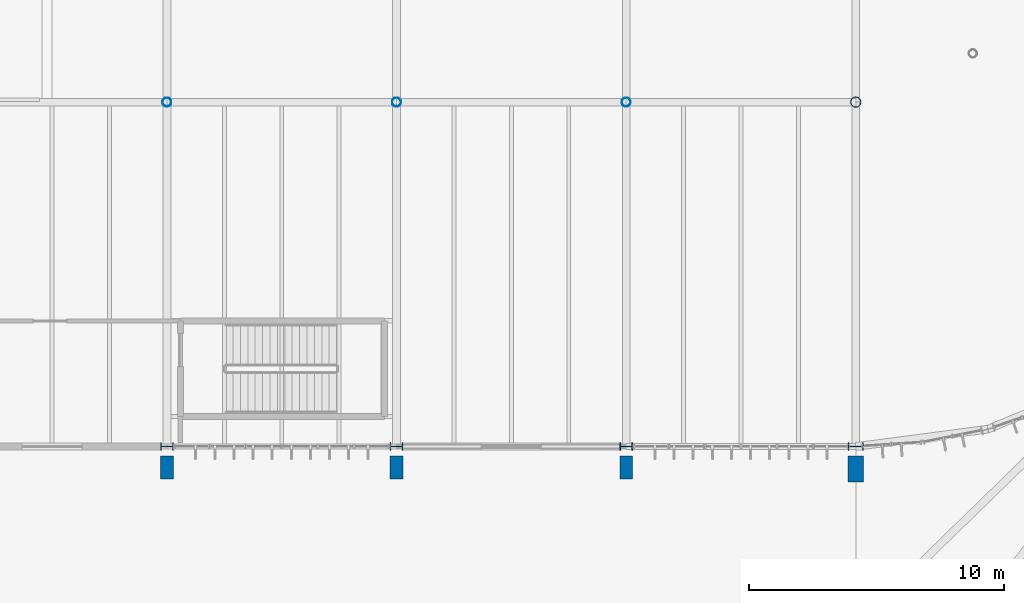
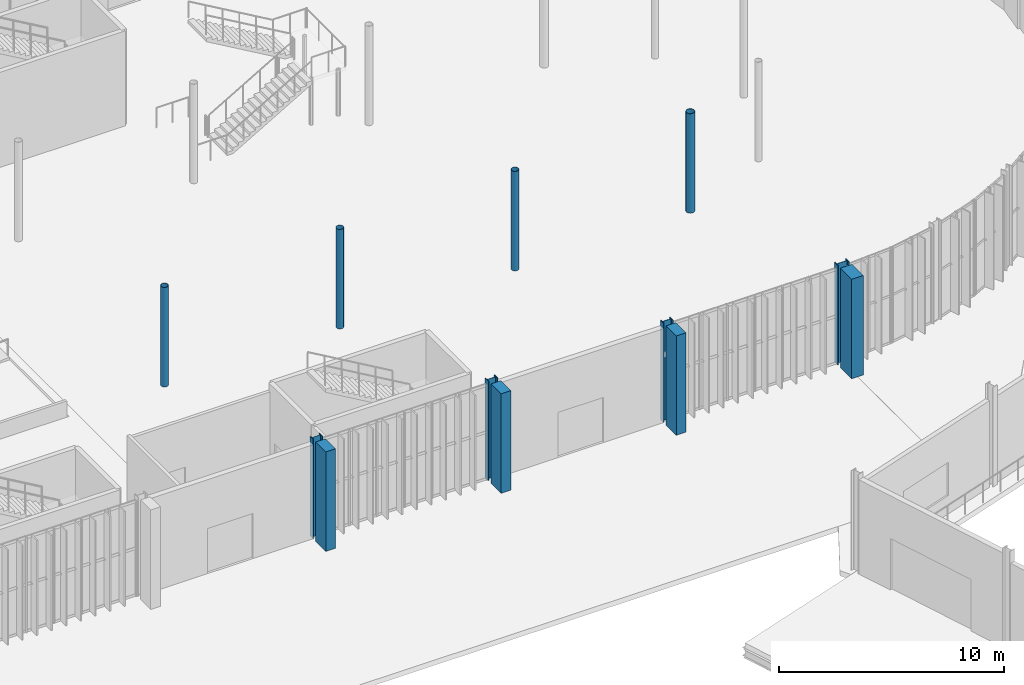
# One storey, part 7 of 158: 12 columns.
"""IFC4 building model written with IfcOpenShell, lengths in metres."""

import ifcopenshell
import ifcopenshell.guid

model = None  # the IFC model being written
_history = None  # IfcOwnerHistory: only IFC2X3 demands one
_inside = {}  # id of a spatial element -> (the spatial element, [elements in it])
_under = {}  # id of a project, library or spatial element -> (it, [spatial elements below it])
_declared = {}  # id of a project -> (the project, [libraries it declares])
_typed = {}  # id of a type object -> (the type object, [elements of that type])
_made_of = {}  # id of a material, layer set ... -> (it, [elements and type objects made of it])


def new_model(schema):
    """Start an empty IFC model of exactly this schema.

    Asked for "IFC4X3", IfcOpenShell would pick the latest addendum, in which some entities
    have other attributes; the version numbers below select the first issue.
    IFC2X3 requires an IfcOwnerHistory on every rooted entity: one is made here for all.
    """
    global model, _history
    if schema == "IFC4X3":
        model = ifcopenshell.file(schema_version=(4, 3, 0, 0))
    else:
        model = ifcopenshell.file(schema=schema)
    _inside.clear()
    _under.clear()
    _declared.clear()
    _typed.clear()
    _made_of.clear()
    _history = None
    if model.schema == "IFC2X3":
        org = make("IfcOrganization", Name="unknown")
        user = make(
            "IfcPersonAndOrganization",
            ThePerson=make("IfcPerson", FamilyName="unknown"),
            TheOrganization=org,
        )
        app = make(
            "IfcApplication",
            ApplicationDeveloper=org,
            Version="unknown",
            ApplicationFullName="unknown",
            ApplicationIdentifier="unknown",
        )
        _history = make(
            "IfcOwnerHistory",
            OwningUser=user,
            OwningApplication=app,
            ChangeAction="ADDED",
            CreationDate=0,
        )
    return model


def make(cls, **values):
    """One entity of the class cls with the attributes given. An attribute that is None is left unset."""
    return model.create_entity(
        cls, **{name: value for name, value in values.items() if value is not None}
    )


def rooted(cls, **values):
    """An entity with a GlobalId (a new one), such as an element, a storey or a relation."""
    return make(cls, GlobalId=ifcopenshell.guid.new(), OwnerHistory=_history, **values)


def si_unit(unit_type, name, prefix=None):
    """IfcSIUnit, for example si_unit("LENGTHUNIT", "METRE", prefix="MILLI")."""
    return make("IfcSIUnit", UnitType=unit_type, Prefix=prefix, Name=name)


def derived_unit(unit_type, elements):
    """IfcDerivedUnit: a product of units, each with its exponent."""
    return make(
        "IfcDerivedUnit",
        Elements=[
            make("IfcDerivedUnitElement", Unit=unit, Exponent=power)
            for unit, power in elements
        ],
        UnitType=unit_type,
    )


def assignment(units):
    """IfcUnitAssignment: the units of a project."""
    return None if units is None else make("IfcUnitAssignment", Units=units)


def point(xyz):
    """IfcCartesianPoint."""
    return None if xyz is None else make("IfcCartesianPoint", Coordinates=xyz)


def direction(xyz):
    """IfcDirection."""
    return None if xyz is None else make("IfcDirection", DirectionRatios=xyz)


def frame(location, z_axis=None, x_axis=None):
    """IfcAxis2Placement3D, a coordinate frame: its origin and axes. An axis left out is left unset."""
    return make(
        "IfcAxis2Placement3D",
        Location=point(location),
        Axis=direction(z_axis),
        RefDirection=direction(x_axis),
    )


def frame_2d(location, x_axis=None):
    """IfcAxis2Placement2D, a coordinate frame in the plane: its origin and x axis."""
    return make(
        "IfcAxis2Placement2D", Location=point(location), RefDirection=direction(x_axis)
    )


def origin():
    """The frame at (0, 0, 0) with its axes left unset."""
    return frame((0.0, 0.0, 0.0))


def origin_2d():
    """The frame at (0, 0) in the plane with its x axis left unset."""
    return frame_2d((0.0, 0.0))


def place(relative_to, where):
    """IfcLocalPlacement: puts the frame where relative to a parent placement (None: the world)."""
    return make(
        "IfcLocalPlacement", PlacementRelTo=relative_to, RelativePlacement=where
    )


def context(
    kind, dimensions, precision=None, world=None, true_north=None, identifier=None
):
    """IfcGeometricRepresentationContext, for example the 3D "Model" context."""
    return make(
        "IfcGeometricRepresentationContext",
        ContextIdentifier=identifier,
        ContextType=kind,
        CoordinateSpaceDimension=dimensions,
        Precision=precision,
        WorldCoordinateSystem=world,
        TrueNorth=true_north,
    )


def subcontext(parent, identifier, kind, view, scale=None):
    """IfcGeometricRepresentationSubContext, for example "Body" below "Model"."""
    return make(
        "IfcGeometricRepresentationSubContext",
        ContextIdentifier=identifier,
        ContextType=kind,
        ParentContext=parent,
        TargetScale=scale,
        TargetView=view,
    )


def project(units=None, contexts=None):
    """IfcProject with its units and contexts."""
    return rooted(
        "IfcProject",
        Name="project",
        RepresentationContexts=contexts,
        UnitsInContext=assignment(units),
    )


def spatial(cls, under=None, at=None, **own):
    """A site, building, storey or space (cls), placed at a placement, below another one or the project."""
    s = rooted(cls, ObjectPlacement=at, **own)
    if under is not None:
        _under.setdefault(under.id(), (under, []))[1].append(s)
    return s


def profile(cls, at=None, kind="AREA", **sizes):
    """A parametric profile (cls). Its sizes go by their IFC names, for example OverallWidth=200.0."""
    return make(cls, ProfileType=kind, Position=at, **sizes)


def rectangle(**sizes):
    """IfcRectangleProfileDef."""
    return profile("IfcRectangleProfileDef", **sizes)


def hollow_circle(**sizes):
    """IfcCircleHollowProfileDef."""
    return profile("IfcCircleHollowProfileDef", **sizes)


def i_section(**sizes):
    """IfcIShapeProfileDef."""
    return profile("IfcIShapeProfileDef", **sizes)


def extrude(swept, where, along, depth):
    """IfcExtrudedAreaSolid: the profile swept, set in the frame where, extruded along a direction by depth."""
    return make(
        "IfcExtrudedAreaSolid",
        SweptArea=swept,
        Position=where,
        ExtrudedDirection=direction(along),
        Depth=depth,
    )


def shape(context_of_items, identifier, shape_type, items):
    """IfcShapeRepresentation: the items that make up one representation, for example the "Body"."""
    return make(
        "IfcShapeRepresentation",
        ContextOfItems=context_of_items,
        RepresentationIdentifier=identifier,
        RepresentationType=shape_type,
        Items=items,
    )


def material(Name=None, Category=None):
    """IfcMaterial."""
    return make("IfcMaterial", Name=Name, Category=Category)


def material_profile(
    of_material, cross_section, Name=None, Category=None, Priority=None
):
    """IfcMaterialProfile: a cross section and its material."""
    return make(
        "IfcMaterialProfile",
        Name=Name,
        Material=of_material,
        Profile=cross_section,
        Priority=Priority,
        Category=Category,
    )


def profile_set(profiles, Name=None, composite=None):
    """IfcMaterialProfileSet."""
    return make(
        "IfcMaterialProfileSet",
        Name=Name,
        MaterialProfiles=profiles,
        CompositeProfile=composite,
    )


def made_of(thing, what):
    """Note that an element or type object is made of a material, layer set ...; save() writes the relation."""
    if what is not None:
        _made_of.setdefault(what.id(), (what, []))[1].append(thing)
    return thing


def type_object(cls, material=None, **own):
    """A type object (cls), such as IfcWallType, which elements share."""
    return made_of(rooted(cls, **own), material)


def element(
    cls,
    number,
    at=None,
    inside=None,
    cuts=None,
    type_object=None,
    material=None,
    context=None,
    identifier="Body",
    shape_type=None,
    held_by="IfcProductDefinitionShape",
    body=None,
    shapes=None,
    **own,
):
    """One element of the class cls, such as IfcWall. Its Tag is "e" and its number.

    at: its placement. inside: the storey or other place that contains it. cuts: it is an
    opening in that element (IfcRelVoidsElement). A single representation is given by context,
    identifier, shape_type and body (its items); several are given by shapes. held_by: the class
    of the entity that holds the representations. save() writes the other relations.
    """
    e = rooted(cls, Tag="e%d" % number, ObjectPlacement=at, **own)
    if body is not None:
        shapes = [shape(context, identifier, shape_type, body)]
    if shapes is not None:
        e.Representation = make(held_by, Representations=shapes)
    if inside is not None:
        _inside.setdefault(inside.id(), (inside, []))[1].append(e)
    if cuts is not None:
        rooted(
            "IfcRelVoidsElement", RelatingBuildingElement=cuts, RelatedOpeningElement=e
        )
    if type_object is not None:
        _typed.setdefault(type_object.id(), (type_object, []))[1].append(e)
    return made_of(e, material)


def aggregate(whole, parts):
    """IfcRelAggregates: a whole, such as a stair, and the parts it consists of."""
    return rooted("IfcRelAggregates", RelatingObject=whole, RelatedObjects=parts)


def save(model, path):
    """Write the relations noted so far, then the file.

    IfcRelAggregates (storeys below a building ...), IfcRelContainedInSpatialStructure (elements
    in a storey), IfcRelDefinesByType, IfcRelAssociatesMaterial and IfcRelDeclares: one each for
    every whole, place, type object, material and project.
    """
    for whole, parts in _under.values():
        aggregate(whole, parts)
    for where, things in _inside.values():
        rooted(
            "IfcRelContainedInSpatialStructure",
            RelatedElements=things,
            RelatingStructure=where,
        )
    for kind, things in _typed.values():
        rooted("IfcRelDefinesByType", RelatedObjects=things, RelatingType=kind)
    for what, things in _made_of.values():
        rooted("IfcRelAssociatesMaterial", RelatedObjects=things, RelatingMaterial=what)
    for by, libraries in _declared.values():
        rooted("IfcRelDeclares", RelatingContext=by, RelatedDefinitions=libraries)
    model.write(path)


model = new_model("IFC4")

# Units and contexts
model_context = context("Model", 3, precision=1e-05, world=origin(), true_north=direction((0.0, 1.0)))
body_context = subcontext(model_context, "Body", "Model", "MODEL_VIEW")
ifc_project = project(units=[si_unit("LENGTHUNIT", "METRE"), si_unit("AREAUNIT", "SQUARE_METRE"), si_unit("VOLUMEUNIT", "CUBIC_METRE"), si_unit("PLANEANGLEUNIT", "RADIAN"), si_unit("MASSUNIT", "GRAM", prefix="KILO"), si_unit("THERMODYNAMICTEMPERATUREUNIT", "KELVIN"), si_unit("TIMEUNIT", "SECOND"), derived_unit("THERMALTRANSMITTANCEUNIT", [(si_unit("MASSUNIT", "GRAM", prefix="KILO"), 1), (si_unit("THERMODYNAMICTEMPERATUREUNIT", "KELVIN"), -1), (si_unit("TIMEUNIT", "SECOND"), -3)])], contexts=[model_context])

# Site, building, storey
site_placement = place(None, origin())
site = spatial("IfcSite", under=ifc_project, at=site_placement, CompositionType="ELEMENT")
building_placement = place(site_placement, origin())
building = spatial("IfcBuilding", under=site, at=building_placement, Name="Cambertide Market Hall", CompositionType="ELEMENT")
storey_placement = place(building_placement, origin())
storey = spatial("IfcBuildingStorey", under=building, at=storey_placement, Name="L01", CompositionType="ELEMENT", Elevation=0.0)

# Columns
ifc_material_1 = material(Name="Concrete B35", Category="concrete")
ifc_material_profile_1 = material_profile(ifc_material_1, rectangle(XDim=0.5, YDim=0.89990234375, at=origin_2d()), Name="RC 500x900")
ifc_profile_set_1 = profile_set([ifc_material_profile_1], Name="Concrete B35")
column_type_1 = type_object("IfcColumnType", Name="Exterior Concrete Buttress Pilaster RC 500x900", PredefinedType="PILASTER", material=ifc_profile_set_1)
for number, where, z_axis, x_axis, name in (
    (1, (78.0, 51.169921875, 0.0), (0.0, 0.0, 1.0), (1.0, 0.0, 0.0), "Level 1 Pilaster PIL-V1-S5-L01"),
    (2, (87.0, 51.169921875, 0.0), (0.0, 0.0, 1.0), (1.0, 0.0, 0.0), "Level 1 Pilaster PIL-V1-S6-L01"),
    (3, (96.0, 51.169921875, 0.0), (0.0, 0.0, 1.0), (1.0, 0.0, 0.0), "Level 1 Pilaster PIL-V1-S7-L01"),
):
    element("IfcColumn", number, at=place(storey_placement, frame(where, z_axis=z_axis, x_axis=x_axis)), inside=storey, type_object=column_type_1, Name=name, PredefinedType="PILASTER", context=body_context, shape_type="SweptSolid", body=[
        extrude(rectangle(XDim=0.5, YDim=0.89990234375, at=origin_2d()), origin(), (0.0, 0.0, 1.0), 5.39990234375),
    ])
ifc_material_2 = material(Name="Concrete B35", Category="concrete")
ifc_material_profile_2 = material_profile(ifc_material_2, rectangle(XDim=0.60009765625, YDim=1.0, at=origin_2d()), Name="RC 600x1000")
ifc_profile_set_2 = profile_set([ifc_material_profile_2], Name="Concrete B35")
column_type_2 = type_object("IfcColumnType", Name="Exterior Concrete Buttress Pilaster RC 600x1000", PredefinedType="PILASTER", material=ifc_profile_set_2)
column_1_placement = place(storey_placement, frame((105.0, 51.1201171875, 0.0), z_axis=(0.0, 0.0, 1.0), x_axis=(1.0, 0.0, 0.0)))
element("IfcColumn", 4, at=column_1_placement, inside=storey, type_object=column_type_2, Name="Level 1 Pilaster PIL-V1-S8-L01", PredefinedType="PILASTER", context=body_context, shape_type="SweptSolid", body=[
    extrude(rectangle(XDim=0.60009765625, YDim=1.0, at=origin_2d()), origin(), (0.0, 0.0, 1.0), 5.39990234375),
])
ifc_material_3 = material(Name="Steel S355", Category="steel")
ifc_material_profile_3 = material_profile(ifc_material_3, i_section(OverallWidth=0.300048828125, OverallDepth=0.5, WebThickness=0.014404296875, FlangeThickness=0.028076171875, FilletRadius=0.027099609375, at=origin_2d()), Name="HEB 500")
ifc_profile_set_3 = profile_set([ifc_material_profile_3], Name="Steel S355")
column_type_3 = type_object("IfcColumnType", Name="Exterior Steel Column HEB 500", PredefinedType="COLUMN", material=ifc_profile_set_3)
for number, where, z_axis, x_axis, name in (
    (5, (78.0, 52.0, 0.0), (0.0, 0.0, 1.0), (0.0, 1.0, 0.0), "Level 1 Column COL-V1-S5-L01"),
    (6, (87.0, 52.0, 0.0), (0.0, 0.0, 1.0), (0.0, 1.0, 0.0), "Level 1 Column COL-V1-S6-L01"),
    (7, (96.0, 52.0, 0.0), (0.0, 0.0, 1.0), (0.0, 1.0, 0.0), "Level 1 Column COL-V1-S7-L01"),
):
    element("IfcColumn", number, at=place(storey_placement, frame(where, z_axis=z_axis, x_axis=x_axis)), inside=storey, type_object=column_type_3, Name=name, PredefinedType="COLUMN", context=body_context, shape_type="SweptSolid", body=[
        extrude(i_section(OverallWidth=0.300048828125, OverallDepth=0.5, WebThickness=0.014404296875, FlangeThickness=0.028076171875, FilletRadius=0.027099609375, at=origin_2d()), origin(), (0.0, 0.0, 1.0), 5.39990234375),
    ])
ifc_material_4 = material(Name="Steel S355", Category="steel")
ifc_material_profile_4 = material_profile(ifc_material_4, i_section(OverallWidth=0.300048828125, OverallDepth=0.60009765625, WebThickness=0.015380859375, FlangeThickness=0.030029296875, FilletRadius=0.027099609375, at=origin_2d()), Name="HEB 600")
ifc_profile_set_4 = profile_set([ifc_material_profile_4], Name="Steel S355")
column_type_4 = type_object("IfcColumnType", Name="Exterior Steel Column HEB 600", PredefinedType="COLUMN", material=ifc_profile_set_4)
column_2_placement = place(storey_placement, frame((105.0, 52.0, 0.0), z_axis=(0.0, 0.0, 1.0), x_axis=(0.0, 1.0, 0.0)))
element("IfcColumn", 8, at=column_2_placement, inside=storey, type_object=column_type_4, Name="Level 1 Column COL-V1-S8-L01", PredefinedType="COLUMN", context=body_context, shape_type="SweptSolid", body=[
    extrude(i_section(OverallWidth=0.300048828125, OverallDepth=0.60009765625, WebThickness=0.015380859375, FlangeThickness=0.030029296875, FilletRadius=0.027099609375, at=origin_2d()), origin(), (0.0, 0.0, 1.0), 5.39990234375),
])
ifc_material_5 = material(Name="Steel S355", Category="steel")
ifc_material_profile_5 = material_profile(ifc_material_5, hollow_circle(Radius=0.177734375, WallThickness=0.012451171875, at=origin_2d()), Name="CHS 355.6x12.5")
ifc_profile_set_5 = profile_set([ifc_material_profile_5], Name="Steel S355")
column_type_5 = type_object("IfcColumnType", Name="Steel Column CHS 355.6x12.5", PredefinedType="COLUMN", material=ifc_profile_set_5)
for number, where, z_axis, x_axis, name in (
    (9, (78.0, 65.5, 0.0), (0.0, 0.0, 1.0), (1.0, 0.0, 0.0), "Level 1 Column COL-V1-MS5-L01"),
    (10, (87.0, 65.5, 0.0), (0.0, 0.0, 1.0), (1.0, 0.0, 0.0), "Level 1 Column COL-V1-MS6-L01"),
    (11, (96.0, 65.5, 0.0), (0.0, 0.0, 1.0), (1.0, 0.0, 0.0), "Level 1 Column COL-V1-MS7-L01"),
):
    element("IfcColumn", number, at=place(storey_placement, frame(where, z_axis=z_axis, x_axis=x_axis)), inside=storey, type_object=column_type_5, Name=name, PredefinedType="COLUMN", context=body_context, shape_type="SweptSolid", body=[
        extrude(hollow_circle(Radius=0.177734375, WallThickness=0.012451171875, at=origin_2d()), origin(), (0.0, 0.0, 1.0), 5.39990234375),
    ])
ifc_material_6 = material(Name="Steel S355", Category="steel")
ifc_material_profile_6 = material_profile(ifc_material_6, hollow_circle(Radius=0.203125, WallThickness=0.01416015625, at=origin_2d()), Name="CHS 406.4x14.2")
ifc_profile_set_6 = profile_set([ifc_material_profile_6], Name="Steel S355")
column_type_6 = type_object("IfcColumnType", Name="Steel Column CHS 406.4x14.2", PredefinedType="COLUMN", material=ifc_profile_set_6)
column_3_placement = place(storey_placement, frame((105.0, 65.5, 0.0), z_axis=(0.0, 0.0, 1.0), x_axis=(1.0, 0.0, 0.0)))
element("IfcColumn", 12, at=column_3_placement, inside=storey, type_object=column_type_6, Name="Level 1 Column COL-V1-MS8-L01", PredefinedType="COLUMN", context=body_context, shape_type="SweptSolid", body=[
    extrude(hollow_circle(Radius=0.203125, WallThickness=0.01416015625, at=origin_2d()), origin(), (0.0, 0.0, 1.0), 5.39990234375),
])

save(model, "model.ifc")
